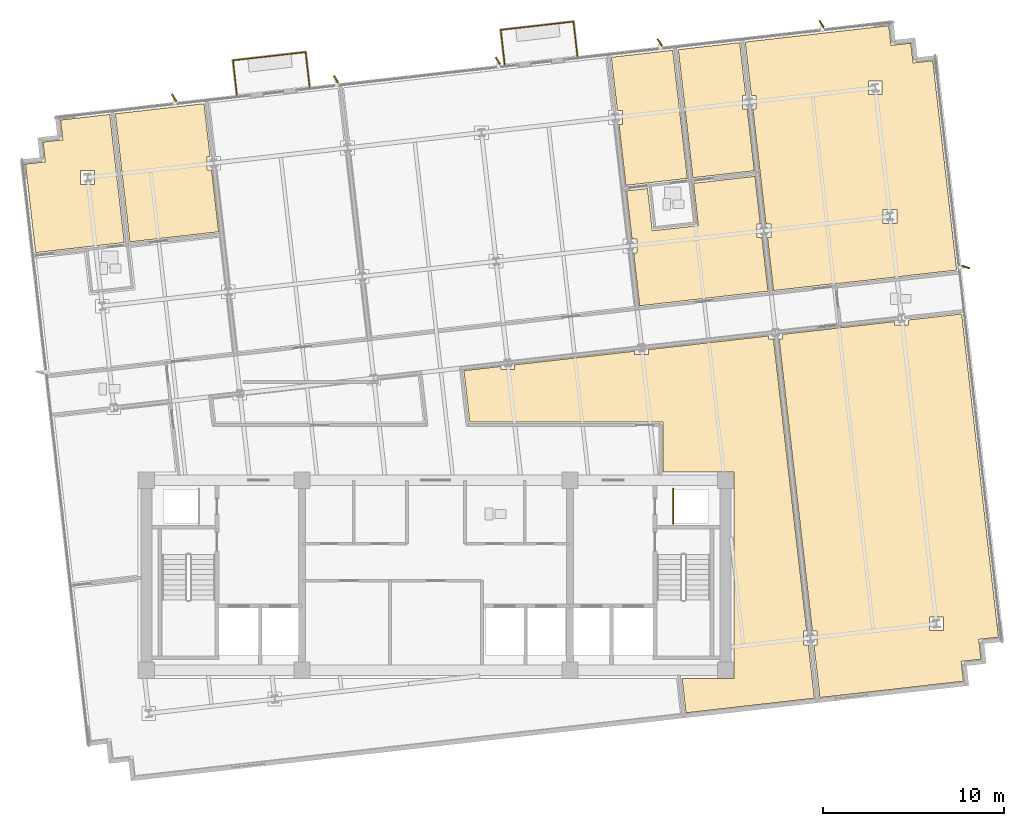
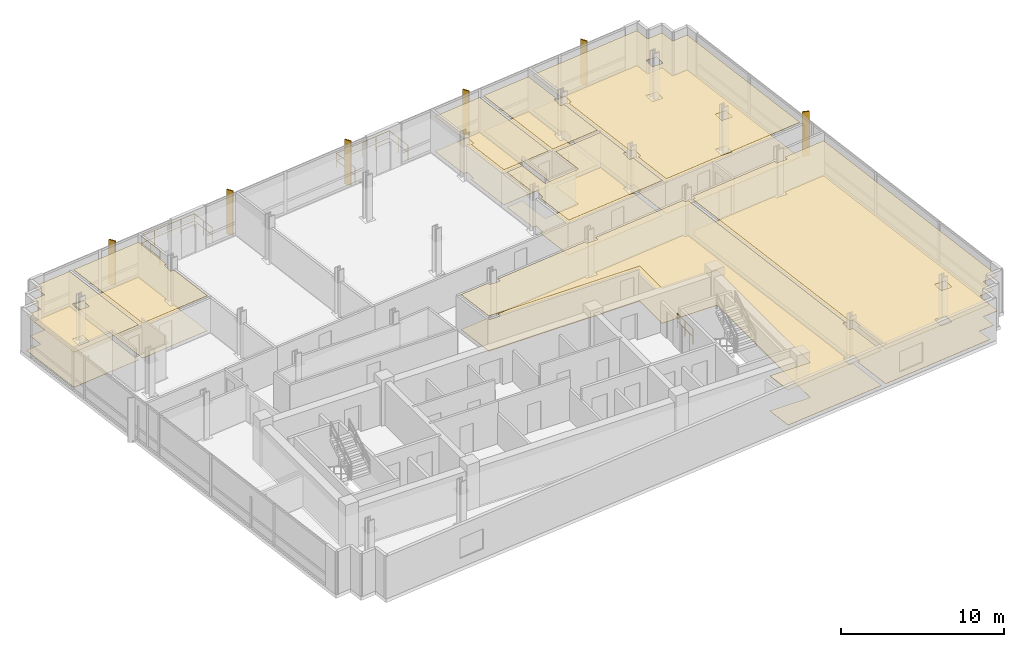
# One storey, part 14 of 15: 16 coverings, 7 railings, 6 shading devices.
"""IFC4 building model written with IfcOpenShell, lengths in metres."""

from ifc_helpers import new_model, si_unit, direction, frame, origin, origin_2d, place, context, subcontext, project, spatial, polyline, rectangle, circle, outline, extrude, material, layer, layer_set, type_object, element, save


model = new_model("IFC4")

# Units and contexts
model_context = context("Model", 3, precision=1e-05, world=origin(), true_north=direction((0.0, 1.0)))
body_context = subcontext(model_context, "Body", "Model", "MODEL_VIEW")
ifc_project = project(units=[si_unit("LENGTHUNIT", "METRE"), si_unit("AREAUNIT", "SQUARE_METRE"), si_unit("VOLUMEUNIT", "CUBIC_METRE"), si_unit("PLANEANGLEUNIT", "RADIAN"), si_unit("MASSUNIT", "GRAM", prefix="KILO")], contexts=[model_context])

# Site, building, storey
site_placement = place(None, origin())
site = spatial("IfcSite", under=ifc_project, at=site_placement, CompositionType="ELEMENT")
building_placement = place(site_placement, origin())
building = spatial("IfcBuilding", under=site, at=building_placement, Name="Solmavex Isthmus Hotel", CompositionType="ELEMENT")
storey_placement = place(building_placement, frame((0.0, 0.0, 226.199951171875)))
storey = spatial("IfcBuildingStorey", under=building, at=storey_placement, Name="L61", CompositionType="ELEMENT", Elevation=226.199951171875)

# Coverings
ifc_material_1 = material(Name="Gypsum plasterboard lining", Category="gypsum")
ifc_layer_1 = layer(ifc_material_1, 0.030029296875)
ifc_layer_set_1 = layer_set([ifc_layer_1], Name="Gypsum plasterboard lining")
covering_type_1 = type_object("IfcCoveringType", Name="COV-CEIL-GYP", PredefinedType="CEILING", material=ifc_layer_set_1)
covering_1_placement = place(storey_placement, frame((0.0, 0.0, 2.6201171875)))
element("IfcCovering", 1, at=covering_1_placement, inside=storey, type_object=covering_type_1, Name="Suspended Acoustic Ceiling L61-TB01", PredefinedType="CEILING", context=body_context, shape_type="SweptSolid", body=[
    extrude(outline(polyline([(-22.677001953125, 14.966552734375), (-22.58349609375, 14.146728515625), (-22.11962890625, 10.076171875), (-17.217529296875, 10.634521484375), (-18.023681640625, 17.7109375), (-19.92041015625, 17.49462890625), (-20.740234375, 17.4013671875), (-20.615478515625, 16.308349609375), (-21.70849609375, 16.183837890625), (-21.583984375, 15.091064453125), (-22.677001953125, 14.966552734375)]), holes=[polyline([(-19.6259765625, 13.844970703125), (-19.6259765625, 14.60498046875), (-18.865966796875, 14.60498046875), (-18.865966796875, 13.844970703125), (-19.6259765625, 13.844970703125)])]), origin(), (0.0, 0.0, 1.0), 0.030029296875),
])
covering_2_placement = place(storey_placement, frame((0.0, 0.0, 2.6201171875)))
element("IfcCovering", 2, at=covering_2_placement, inside=storey, type_object=covering_type_1, Name="Suspended Acoustic Ceiling L61-TL01", PredefinedType="CEILING", context=body_context, shape_type="SweptSolid", body=[
    extrude(outline(polyline([(-12.395751953125, 14.638427734375), (-12.6630859375, 14.638427734375), (-12.6630859375, 15.3984375), (-12.482421875, 15.3984375), (-12.8134765625, 18.304443359375), (-17.715576171875, 17.745849609375), (-16.909423828125, 10.669677734375), (-12.007080078125, 11.228271484375), (-12.395751953125, 14.638427734375)])), origin(), (0.0, 0.0, 1.0), 0.030029296875),
])
covering_3_placement = place(storey_placement, frame((0.0, 0.0, 2.6201171875)))
element("IfcCovering", 3, at=covering_3_placement, inside=storey, type_object=covering_type_1, Name="Suspended Acoustic Ceiling L61-ST04-FY", PredefinedType="CEILING", context=body_context, shape_type="SweptSolid", body=[
    extrude(outline(polyline([(11.685791015625, 13.61572265625), (10.5302734375, 13.484130859375), (10.833740234375, 10.821044921875), (11.10107421875, 10.821044921875), (11.10107421875, 10.06103515625), (10.92041015625, 10.06103515625), (11.25341796875, 7.13720703125), (18.343505859375, 7.945068359375), (18.006591796875, 10.904052734375), (17.7392578125, 10.904052734375), (17.7392578125, 11.6640625), (17.919921875, 11.6640625), (17.620361328125, 14.2919921875), (14.2294921875, 13.905517578125), (14.495361328125, 11.570556640625), (11.951904296875, 11.28076171875), (11.685791015625, 13.61572265625)])), origin(), (0.0, 0.0, 1.0), 0.030029296875),
])
covering_4_placement = place(storey_placement, frame((0.0, 0.0, 2.6201171875)))
element("IfcCovering", 4, at=covering_4_placement, inside=storey, type_object=covering_type_1, Name="Suspended Acoustic Ceiling L61-TB04", PredefinedType="CEILING", context=body_context, shape_type="SweptSolid", body=[
    extrude(outline(polyline([(10.024169921875, 17.92724609375), (10.29150390625, 17.92724609375), (10.29150390625, 17.167236328125), (10.110595703125, 17.167236328125), (10.495361328125, 13.7919921875), (13.88623046875, 14.178466796875), (13.080078125, 21.254638671875), (9.68896484375, 20.868408203125), (10.024169921875, 17.92724609375)])), origin(), (0.0, 0.0, 1.0), 0.030029296875),
])
covering_5_placement = place(storey_placement, frame((0.0, 0.0, 2.6201171875)))
element("IfcCovering", 5, at=covering_5_placement, inside=storey, type_object=covering_type_1, Name="Suspended Acoustic Ceiling L61-TL04", PredefinedType="CEILING", context=body_context, shape_type="SweptSolid", body=[
    extrude(outline(polyline([(17.19677734375, 18.010009765625), (16.929443359375, 18.010009765625), (16.929443359375, 18.77001953125), (17.1103515625, 18.77001953125), (16.779052734375, 21.676025390625), (13.38818359375, 21.289794921875), (14.1943359375, 14.213623046875), (17.58544921875, 14.599853515625), (17.19677734375, 18.010009765625)])), origin(), (0.0, 0.0, 1.0), 0.030029296875),
])
covering_6_placement = place(storey_placement, frame((0.0, 0.0, 2.6201171875)))
element("IfcCovering", 6, at=covering_6_placement, inside=storey, type_object=covering_type_1, Name="Suspended Acoustic Ceiling L61-RM05", PredefinedType="CEILING", context=body_context, shape_type="SweptSolid", body=[
    extrude(outline(polyline([(18.23193359375, 11.6640625), (18.499267578125, 11.6640625), (18.499267578125, 10.904052734375), (18.318359375, 10.904052734375), (18.651611328125, 7.97998046875), (22.228515625, 8.3876953125), (22.230712890625, 8.36767578125), (28.766357421875, 9.1123046875), (27.542236328125, 19.85791015625), (27.44873046875, 20.677490234375), (26.35595703125, 20.552978515625), (26.231201171875, 21.64599609375), (25.138427734375, 21.521484375), (25.013916015625, 22.6142578125), (24.194091796875, 22.52099609375), (17.087158203125, 21.711181640625), (17.42236328125, 18.77001953125), (17.689453125, 18.77001953125), (17.689453125, 18.010009765625), (17.5087890625, 18.010009765625), (18.17626953125, 12.15185546875), (18.23193359375, 11.6640625)]), holes=[polyline([(24.7021484375, 11.697265625), (24.7021484375, 12.457275390625), (25.462158203125, 12.457275390625), (25.462158203125, 11.697265625), (24.7021484375, 11.697265625)]), polyline([(23.892578125, 19.5634765625), (24.652587890625, 19.5634765625), (24.652587890625, 18.803466796875), (23.892578125, 18.803466796875), (23.892578125, 19.5634765625)])]), origin(), (0.0, 0.0, 1.0), 0.030029296875),
])
covering_7_placement = place(storey_placement, frame((0.0, 0.0, 2.6201171875)))
element("IfcCovering", 7, at=covering_7_placement, inside=storey, type_object=covering_type_1, Name="Suspended Acoustic Ceiling L61-FL11", PredefinedType="CEILING", context=body_context, shape_type="SweptSolid", body=[
    extrude(outline(polyline([(4.34228515625, 3.873779296875), (4.34228515625, 3.6064453125), (3.582275390625, 3.6064453125), (3.582275390625, 3.787109375), (1.547607421875, 3.555419921875), (1.872314453125, 0.705078125), (12.554931640625, 0.705078125), (12.554931640625, -2.044921875), (16.455078125, -2.044921875), (16.455078125, -13.455078125), (13.599609375, -13.455078125), (13.815185546875, -15.347412109375), (20.905517578125, -14.53955078125), (20.5703125, -11.598388671875), (20.302978515625, -11.598388671875), (20.302978515625, -10.83837890625), (20.483642578125, -10.83837890625), (18.645751953125, 5.292236328125), (18.378662109375, 5.292236328125), (18.378662109375, 5.472900390625), (11.740478515625, 4.716796875), (11.740478515625, 4.449462890625), (10.98046875, 4.449462890625), (10.98046875, 4.630126953125), (4.34228515625, 3.873779296875)])), origin(), (0.0, 0.0, 1.0), 0.030029296875),
])
covering_8_placement = place(storey_placement, frame((0.0, 0.0, 2.6201171875)))
element("IfcCovering", 8, at=covering_8_placement, inside=storey, type_object=covering_type_1, Name="Suspended Acoustic Ceiling L61-FL12", PredefinedType="CEILING", context=body_context, shape_type="SweptSolid", body=[
    extrude(outline(polyline([(20.795654296875, -10.83837890625), (21.06298828125, -10.83837890625), (21.06298828125, -11.598388671875), (20.88232421875, -11.598388671875), (21.21337890625, -14.50439453125), (28.3203125, -13.69482421875), (29.14013671875, -13.601318359375), (29.015625, -12.50830078125), (30.108642578125, -12.3837890625), (29.98388671875, -11.291015625), (31.076904296875, -11.16650390625), (30.983642578125, -10.3466796875), (29.042724609375, 6.68798828125), (26.1015625, 6.35302734375), (26.1015625, 6.085693359375), (25.341552734375, 6.085693359375), (25.341552734375, 6.266357421875), (19.138427734375, 5.5595703125), (19.138427734375, 5.292236328125), (18.957763671875, 5.292236328125), (20.795654296875, -10.83837890625)]), holes=[polyline([(27.265869140625, -10.80517578125), (27.265869140625, -10.045166015625), (28.02587890625, -10.045166015625), (28.02587890625, -10.80517578125), (27.265869140625, -10.80517578125)])]), origin(), (0.0, 0.0, 1.0), 0.030029296875),
])
ifc_material_2 = material(Name="Travertine natural stone", Category="masonry")
ifc_layer_2 = layer(ifc_material_2, 0.02490234375)
ifc_layer_set_2 = layer_set([ifc_layer_2], Name="Travertine natural stone")
covering_type_2 = type_object("IfcCoveringType", Name="COV-FLOR-STN", PredefinedType="FLOORING", material=ifc_layer_set_2)
covering_9_placement = place(storey_placement, origin())
element("IfcCovering", 9, at=covering_9_placement, inside=storey, type_object=covering_type_2, Name="Stone and Timber Floor Finish L61-TB01", PredefinedType="FLOORING", context=body_context, shape_type="SweptSolid", body=[
    extrude(outline(polyline([(-22.677001953125, 14.966552734375), (-22.58349609375, 14.146728515625), (-22.11962890625, 10.076171875), (-17.217529296875, 10.634521484375), (-18.023681640625, 17.7109375), (-19.92041015625, 17.49462890625), (-20.740234375, 17.4013671875), (-20.615478515625, 16.308349609375), (-21.70849609375, 16.183837890625), (-21.583984375, 15.091064453125), (-22.677001953125, 14.966552734375)]), holes=[polyline([(-19.6259765625, 13.844970703125), (-19.6259765625, 14.60498046875), (-18.865966796875, 14.60498046875), (-18.865966796875, 13.844970703125), (-19.6259765625, 13.844970703125)])]), origin(), (0.0, 0.0, 1.0), 0.025146484375),
])
covering_10_placement = place(storey_placement, origin())
element("IfcCovering", 10, at=covering_10_placement, inside=storey, type_object=covering_type_2, Name="Stone and Timber Floor Finish L61-TL01", PredefinedType="FLOORING", context=body_context, shape_type="SweptSolid", body=[
    extrude(outline(polyline([(-12.395751953125, 14.638427734375), (-12.6630859375, 14.638427734375), (-12.6630859375, 15.3984375), (-12.482421875, 15.3984375), (-12.8134765625, 18.304443359375), (-17.715576171875, 17.745849609375), (-16.909423828125, 10.669677734375), (-12.007080078125, 11.228271484375), (-12.395751953125, 14.638427734375)])), origin(), (0.0, 0.0, 1.0), 0.025146484375),
])
covering_11_placement = place(storey_placement, origin())
element("IfcCovering", 11, at=covering_11_placement, inside=storey, type_object=covering_type_2, Name="Stone and Timber Floor Finish L61-ST04-FY", PredefinedType="FLOORING", context=body_context, shape_type="SweptSolid", body=[
    extrude(outline(polyline([(11.685791015625, 13.61572265625), (10.5302734375, 13.484130859375), (10.833740234375, 10.821044921875), (11.10107421875, 10.821044921875), (11.10107421875, 10.06103515625), (10.92041015625, 10.06103515625), (11.25341796875, 7.13720703125), (18.343505859375, 7.945068359375), (18.006591796875, 10.904052734375), (17.7392578125, 10.904052734375), (17.7392578125, 11.6640625), (17.919921875, 11.6640625), (17.620361328125, 14.2919921875), (14.2294921875, 13.905517578125), (14.495361328125, 11.570556640625), (11.951904296875, 11.28076171875), (11.685791015625, 13.61572265625)])), origin(), (0.0, 0.0, 1.0), 0.025146484375),
])
covering_12_placement = place(storey_placement, origin())
element("IfcCovering", 12, at=covering_12_placement, inside=storey, type_object=covering_type_2, Name="Stone and Timber Floor Finish L61-TB04", PredefinedType="FLOORING", context=body_context, shape_type="SweptSolid", body=[
    extrude(outline(polyline([(10.024169921875, 17.92724609375), (10.29150390625, 17.92724609375), (10.29150390625, 17.167236328125), (10.110595703125, 17.167236328125), (10.495361328125, 13.7919921875), (13.88623046875, 14.178466796875), (13.080078125, 21.254638671875), (9.68896484375, 20.868408203125), (10.024169921875, 17.92724609375)])), origin(), (0.0, 0.0, 1.0), 0.025146484375),
])
covering_13_placement = place(storey_placement, origin())
element("IfcCovering", 13, at=covering_13_placement, inside=storey, type_object=covering_type_2, Name="Stone and Timber Floor Finish L61-TL04", PredefinedType="FLOORING", context=body_context, shape_type="SweptSolid", body=[
    extrude(outline(polyline([(17.19677734375, 18.010009765625), (16.929443359375, 18.010009765625), (16.929443359375, 18.77001953125), (17.1103515625, 18.77001953125), (16.779052734375, 21.676025390625), (13.38818359375, 21.289794921875), (14.1943359375, 14.213623046875), (17.58544921875, 14.599853515625), (17.19677734375, 18.010009765625)])), origin(), (0.0, 0.0, 1.0), 0.025146484375),
])
covering_14_placement = place(storey_placement, origin())
element("IfcCovering", 14, at=covering_14_placement, inside=storey, type_object=covering_type_2, Name="Stone and Timber Floor Finish L61-RM05", PredefinedType="FLOORING", context=body_context, shape_type="SweptSolid", body=[
    extrude(outline(polyline([(18.23193359375, 11.6640625), (18.499267578125, 11.6640625), (18.499267578125, 10.904052734375), (18.318359375, 10.904052734375), (18.651611328125, 7.97998046875), (22.228515625, 8.3876953125), (22.230712890625, 8.36767578125), (28.766357421875, 9.1123046875), (27.542236328125, 19.85791015625), (27.44873046875, 20.677490234375), (26.35595703125, 20.552978515625), (26.231201171875, 21.64599609375), (25.138427734375, 21.521484375), (25.013916015625, 22.6142578125), (24.194091796875, 22.52099609375), (17.087158203125, 21.711181640625), (17.42236328125, 18.77001953125), (17.689453125, 18.77001953125), (17.689453125, 18.010009765625), (17.5087890625, 18.010009765625), (18.17626953125, 12.15185546875), (18.23193359375, 11.6640625)]), holes=[polyline([(24.7021484375, 11.697265625), (24.7021484375, 12.457275390625), (25.462158203125, 12.457275390625), (25.462158203125, 11.697265625), (24.7021484375, 11.697265625)]), polyline([(23.892578125, 19.5634765625), (24.652587890625, 19.5634765625), (24.652587890625, 18.803466796875), (23.892578125, 18.803466796875), (23.892578125, 19.5634765625)])]), origin(), (0.0, 0.0, 1.0), 0.025146484375),
])
covering_15_placement = place(storey_placement, origin())
element("IfcCovering", 15, at=covering_15_placement, inside=storey, type_object=covering_type_2, Name="Stone and Timber Floor Finish L61-FL11", PredefinedType="FLOORING", context=body_context, shape_type="SweptSolid", body=[
    extrude(outline(polyline([(4.34228515625, 3.873779296875), (4.34228515625, 3.6064453125), (3.582275390625, 3.6064453125), (3.582275390625, 3.787109375), (1.547607421875, 3.555419921875), (1.872314453125, 0.705078125), (12.554931640625, 0.705078125), (12.554931640625, -2.044921875), (16.455078125, -2.044921875), (16.455078125, -13.455078125), (13.599609375, -13.455078125), (13.815185546875, -15.347412109375), (20.905517578125, -14.53955078125), (20.5703125, -11.598388671875), (20.302978515625, -11.598388671875), (20.302978515625, -10.83837890625), (20.483642578125, -10.83837890625), (18.645751953125, 5.292236328125), (18.378662109375, 5.292236328125), (18.378662109375, 5.472900390625), (11.740478515625, 4.716796875), (11.740478515625, 4.449462890625), (10.98046875, 4.449462890625), (10.98046875, 4.630126953125), (4.34228515625, 3.873779296875)])), origin(), (0.0, 0.0, 1.0), 0.025146484375),
])
covering_16_placement = place(storey_placement, origin())
element("IfcCovering", 16, at=covering_16_placement, inside=storey, type_object=covering_type_2, Name="Stone and Timber Floor Finish L61-FL12", PredefinedType="FLOORING", context=body_context, shape_type="SweptSolid", body=[
    extrude(outline(polyline([(20.795654296875, -10.83837890625), (21.06298828125, -10.83837890625), (21.06298828125, -11.598388671875), (20.88232421875, -11.598388671875), (21.21337890625, -14.50439453125), (28.3203125, -13.69482421875), (29.14013671875, -13.601318359375), (29.015625, -12.50830078125), (30.108642578125, -12.3837890625), (29.98388671875, -11.291015625), (31.076904296875, -11.16650390625), (30.983642578125, -10.3466796875), (29.042724609375, 6.68798828125), (26.1015625, 6.35302734375), (26.1015625, 6.085693359375), (25.341552734375, 6.085693359375), (25.341552734375, 6.266357421875), (19.138427734375, 5.5595703125), (19.138427734375, 5.292236328125), (18.957763671875, 5.292236328125), (20.795654296875, -10.83837890625)]), holes=[polyline([(27.265869140625, -10.80517578125), (27.265869140625, -10.045166015625), (28.02587890625, -10.045166015625), (28.02587890625, -10.80517578125), (27.265869140625, -10.80517578125)])]), origin(), (0.0, 0.0, 1.0), 0.025146484375),
])

# Railings
ifc_material_3 = material(Name="Clear low-E laminated glass", Category="glass")
ifc_layer_3 = layer(ifc_material_3, 0.080078125)
ifc_layer_set_3 = layer_set([ifc_layer_3], Name="Clear low-E laminated glass")
railing_type_1 = type_object("IfcRailingType", Name="RAIL-ATRIUM-1120", PredefinedType="BALUSTRADE", material=ifc_layer_set_3)
railing_1_placement = place(storey_placement, frame((13.10009765625, -4.89990234375, 0.0)))
element("IfcRailing", 17, at=railing_1_placement, inside=storey, type_object=railing_type_1, Name="Guardrail Balustrade L61-RSE-01", PredefinedType="BALUSTRADE", context=body_context, shape_type="SweptSolid", body=[
    extrude(circle(Radius=0.02392578125, at=origin_2d()), frame((0.0, 0.0, 1.1259765625), z_axis=(0.0, 1.0, 0.0), x_axis=(-1.0, 0.0, 0.0)), (0.0, 0.0, 1.0), 1.949951171875),
    extrude(circle(Radius=0.02392578125, at=origin_2d()), frame((0.0, 0.0, 0.574951171875), z_axis=(0.0, 1.0, 0.0), x_axis=(-1.0, 0.0, 0.0)), (0.0, 0.0, 1.0), 1.949951171875),
    extrude(circle(Radius=0.02099609375, at=origin_2d()), origin(), (0.0, 0.0, 1.0), 1.101806640625),
    extrude(circle(Radius=0.02099609375, at=origin_2d()), frame((0.0, 0.97509765625, 0.0)), (0.0, 0.0, 1.0), 1.101806640625),
    extrude(circle(Radius=0.02099609375, at=origin_2d()), frame((0.0, 1.949951171875, 0.0)), (0.0, 0.0, 1.0), 1.101806640625),
])
ifc_layer_4 = layer(ifc_material_3, 0.070068359375)
ifc_layer_set_4 = layer_set([ifc_layer_4], Name="Clear low-E laminated glass")
railing_type_2 = type_object("IfcRailingType", Name="RAIL-GUARD-1100", PredefinedType="BALUSTRADE", material=ifc_layer_set_4)
railing_2_placement = place(storey_placement, frame((-10.99853515625, 18.7880859375, 0.0)))
element("IfcRailing", 18, at=railing_2_placement, inside=storey, type_object=railing_type_2, Name="Guardrail Balustrade L61-BAL1-01", PredefinedType="BALUSTRADE", context=body_context, shape_type="SweptSolid", body=[
    extrude(circle(Radius=0.02392578125, at=origin_2d()), frame((0.0, 0.0, 1.09619140625), z_axis=(-0.113166454875, 0.993576043135, 0.0), x_axis=(-0.993576043135, -0.113166454875, 0.0)), (0.0, 0.0, 1.0), 1.920166015625),
    extrude(circle(Radius=0.02392578125, at=origin_2d()), frame((0.0, 0.0, 0.56005859375), z_axis=(-0.113166454875, 0.993576043135, 0.0), x_axis=(-0.993576043135, -0.113166454875, 0.0)), (0.0, 0.0, 1.0), 1.920166015625),
    extrude(circle(Radius=0.02099609375, at=origin_2d()), origin(), (0.0, 0.0, 1.0), 1.072021484375),
    extrude(circle(Radius=0.02099609375, at=origin_2d()), frame((-0.108642578125, 0.953857421875, 0.0)), (0.0, 0.0, 1.0), 1.072021484375),
    extrude(circle(Radius=0.02099609375, at=origin_2d()), frame((-0.21728515625, 1.90771484375, 0.0)), (0.0, 0.0, 1.0), 1.072021484375),
])
railing_3_placement = place(storey_placement, frame((-11.2158203125, 20.69580078125, 0.0)))
element("IfcRailing", 19, at=railing_3_placement, inside=storey, type_object=railing_type_2, Name="Guardrail Balustrade L61-BAL1-02", PredefinedType="BALUSTRADE", context=body_context, shape_type="SweptSolid", body=[
    extrude(circle(Radius=0.02392578125, at=origin_2d()), frame((0.0, 0.0, 1.09619140625), z_axis=(0.993573319275, 0.113190367192, 0.0), x_axis=(-0.113190367192, 0.993573319275, 0.0)), (0.0, 0.0, 1.0), 4.039794921875),
    extrude(circle(Radius=0.02392578125, at=origin_2d()), frame((0.0, 0.0, 0.56005859375), z_axis=(0.993573319275, 0.113190367192, 0.0), x_axis=(-0.113190367192, 0.993573319275, 0.0)), (0.0, 0.0, 1.0), 4.039794921875),
    extrude(circle(Radius=0.02099609375, at=origin_2d()), origin(), (0.0, 0.0, 1.0), 1.072021484375),
    extrude(circle(Radius=0.02099609375, at=origin_2d()), frame((1.00341796875, 0.1142578125, 0.0)), (0.0, 0.0, 1.0), 1.072021484375),
    extrude(circle(Radius=0.02099609375, at=origin_2d()), frame((2.0068359375, 0.228515625, 0.0)), (0.0, 0.0, 1.0), 1.072021484375),
    extrude(circle(Radius=0.02099609375, at=origin_2d()), frame((3.010498046875, 0.343017578125, 0.0)), (0.0, 0.0, 1.0), 1.072021484375),
    extrude(circle(Radius=0.02099609375, at=origin_2d()), frame((4.013916015625, 0.457275390625, 0.0)), (0.0, 0.0, 1.0), 1.072021484375),
])
railing_4_placement = place(storey_placement, frame((-7.201904296875, 21.153076171875, 0.0)))
element("IfcRailing", 20, at=railing_4_placement, inside=storey, type_object=railing_type_2, Name="Guardrail Balustrade L61-BAL1-03", PredefinedType="BALUSTRADE", context=body_context, shape_type="SweptSolid", body=[
    extrude(circle(Radius=0.02392578125, at=origin_2d()), frame((0.0, 0.0, 1.09619140625), z_axis=(0.113291977077, -0.993561738359, 0.0), x_axis=(0.993561738359, 0.113291977077, 0.0)), (0.0, 0.0, 1.0), 1.920166015625),
    extrude(circle(Radius=0.02392578125, at=origin_2d()), frame((0.0, 0.0, 0.56005859375), z_axis=(0.113291977077, -0.993561738359, 0.0), x_axis=(0.993561738359, 0.113291977077, 0.0)), (0.0, 0.0, 1.0), 1.920166015625),
    extrude(circle(Radius=0.02099609375, at=origin_2d()), origin(), (0.0, 0.0, 1.0), 1.072021484375),
    extrude(circle(Radius=0.02099609375, at=origin_2d()), frame((0.10888671875, -0.953857421875, 0.0)), (0.0, 0.0, 1.0), 1.072021484375),
    extrude(circle(Radius=0.02099609375, at=origin_2d()), frame((0.217529296875, -1.90771484375, 0.0)), (0.0, 0.0, 1.0), 1.072021484375),
])
railing_5_placement = place(storey_placement, frame((3.7978515625, 20.473876953125, 0.0)))
element("IfcRailing", 21, at=railing_5_placement, inside=storey, type_object=railing_type_2, Name="Guardrail Balustrade L61-BAL2-01", PredefinedType="BALUSTRADE", context=body_context, shape_type="SweptSolid", body=[
    extrude(circle(Radius=0.02392578125, at=origin_2d()), frame((0.0, 0.0, 1.09619140625), z_axis=(-0.113291977077, 0.993561738359, 0.0), x_axis=(-0.993561738359, -0.113291977077, 0.0)), (0.0, 0.0, 1.0), 1.920166015625),
    extrude(circle(Radius=0.02392578125, at=origin_2d()), frame((0.0, 0.0, 0.56005859375), z_axis=(-0.113291977077, 0.993561738359, 0.0), x_axis=(-0.993561738359, -0.113291977077, 0.0)), (0.0, 0.0, 1.0), 1.920166015625),
    extrude(circle(Radius=0.02099609375, at=origin_2d()), origin(), (0.0, 0.0, 1.0), 1.072021484375),
    extrude(circle(Radius=0.02099609375, at=origin_2d()), frame((-0.10888671875, 0.953857421875, 0.0)), (0.0, 0.0, 1.0), 1.072021484375),
    extrude(circle(Radius=0.02099609375, at=origin_2d()), frame((-0.217529296875, 1.90771484375, 0.0)), (0.0, 0.0, 1.0), 1.072021484375),
])
railing_6_placement = place(storey_placement, frame((3.580322265625, 22.381591796875, 0.0)))
element("IfcRailing", 22, at=railing_6_placement, inside=storey, type_object=railing_type_2, Name="Guardrail Balustrade L61-BAL2-02", PredefinedType="BALUSTRADE", context=body_context, shape_type="SweptSolid", body=[
    extrude(circle(Radius=0.02392578125, at=origin_2d()), frame((0.0, 0.0, 1.09619140625), z_axis=(0.993574093472, 0.113183571164, 0.0), x_axis=(-0.113183571164, 0.993574093472, 0.0)), (0.0, 0.0, 1.0), 4.0400390625),
    extrude(circle(Radius=0.02392578125, at=origin_2d()), frame((0.0, 0.0, 0.56005859375), z_axis=(0.993574093472, 0.113183571164, 0.0), x_axis=(-0.113183571164, 0.993574093472, 0.0)), (0.0, 0.0, 1.0), 4.0400390625),
    extrude(circle(Radius=0.02099609375, at=origin_2d()), origin(), (0.0, 0.0, 1.0), 1.072021484375),
    extrude(circle(Radius=0.02099609375, at=origin_2d()), frame((1.00341796875, 0.1142578125, 0.0)), (0.0, 0.0, 1.0), 1.072021484375),
    extrude(circle(Radius=0.02099609375, at=origin_2d()), frame((2.007080078125, 0.228515625, 0.0)), (0.0, 0.0, 1.0), 1.072021484375),
    extrude(circle(Radius=0.02099609375, at=origin_2d()), frame((3.0107421875, 0.343017578125, 0.0)), (0.0, 0.0, 1.0), 1.072021484375),
    extrude(circle(Radius=0.02099609375, at=origin_2d()), frame((4.01416015625, 0.457275390625, 0.0)), (0.0, 0.0, 1.0), 1.072021484375),
])
railing_7_placement = place(storey_placement, frame((7.594482421875, 22.8388671875, 0.0)))
element("IfcRailing", 23, at=railing_7_placement, inside=storey, type_object=railing_type_2, Name="Guardrail Balustrade L61-BAL2-03", PredefinedType="BALUSTRADE", context=body_context, shape_type="SweptSolid", body=[
    extrude(circle(Radius=0.02392578125, at=origin_2d()), frame((0.0, 0.0, 1.09619140625), z_axis=(0.113166454875, -0.993576043135, 0.0), x_axis=(0.993576043135, 0.113166454875, 0.0)), (0.0, 0.0, 1.0), 1.920166015625),
    extrude(circle(Radius=0.02392578125, at=origin_2d()), frame((0.0, 0.0, 0.56005859375), z_axis=(0.113166454875, -0.993576043135, 0.0), x_axis=(0.993576043135, 0.113166454875, 0.0)), (0.0, 0.0, 1.0), 1.920166015625),
    extrude(circle(Radius=0.02099609375, at=origin_2d()), origin(), (0.0, 0.0, 1.0), 1.072021484375),
    extrude(circle(Radius=0.02099609375, at=origin_2d()), frame((0.108642578125, -0.953857421875, 0.0)), (0.0, 0.0, 1.0), 1.072021484375),
    extrude(circle(Radius=0.02099609375, at=origin_2d()), frame((0.21728515625, -1.90771484375, 0.0)), (0.0, 0.0, 1.0), 1.072021484375),
])

# Shading devices
ifc_material_4 = material(Name="Aluminium alloy 6063-T6", Category="aluminium")
shading_device_type = type_object("IfcShadingDeviceType", Name="SHD-FIN-BRONZE", PredefinedType="USERDEFINED", material=ifc_material_4)
for number, where, z_axis, x_axis, name in (
    (24, (-14.46435546875, 18.634765625, -0.139892578125), (0.0, 0.0, 1.0), (-0.537299608347, 0.843391445813, 0.0), "Anodised Aluminium Solar Fin L61-N1"),
    (25, (-5.522216796875, 19.653564453125, -0.139892578125), (0.0, 0.0, 1.0), (-0.537299608347, 0.843391445813, 0.0), "Anodised Aluminium Solar Fin L61-N2"),
    (26, (3.419921875, 20.67236328125, -0.139892578125), (0.0, 0.0, 1.0), (-0.537299608347, 0.843391445813, 0.0), "Anodised Aluminium Solar Fin L61-N3"),
    (27, (12.362060546875, 21.691162109375, -0.139892578125), (0.0, 0.0, 1.0), (-0.537299608347, 0.843391445813, 0.0), "Anodised Aluminium Solar Fin L61-N4"),
    (28, (21.30419921875, 22.7099609375, -0.139892578125), (0.0, 0.0, 1.0), (-0.537299608347, 0.843391445813, 0.0), "Anodised Aluminium Solar Fin L61-N5"),
    (29, (29.26513671875, 9.284912109375, -0.139892578125), (0.0, 0.0, 1.0), (0.953716950748, -0.300705799504, 0.0), "Anodised Aluminium Solar Fin L61-E1"),
):
    element("IfcShadingDevice", number, at=place(storey_placement, frame(where, z_axis=z_axis, x_axis=x_axis)), inside=storey, type_object=shading_device_type, Name=name, ObjectType="SOLAR_FIN", PredefinedType="USERDEFINED", context=body_context, shape_type="SweptSolid", body=[
        extrude(rectangle(XDim=0.449951171875, YDim=0.080078125, at=origin_2d()), origin(), (0.0, 0.0, 1.0), 3.330078125),
    ])

save(model, "model.ifc")
